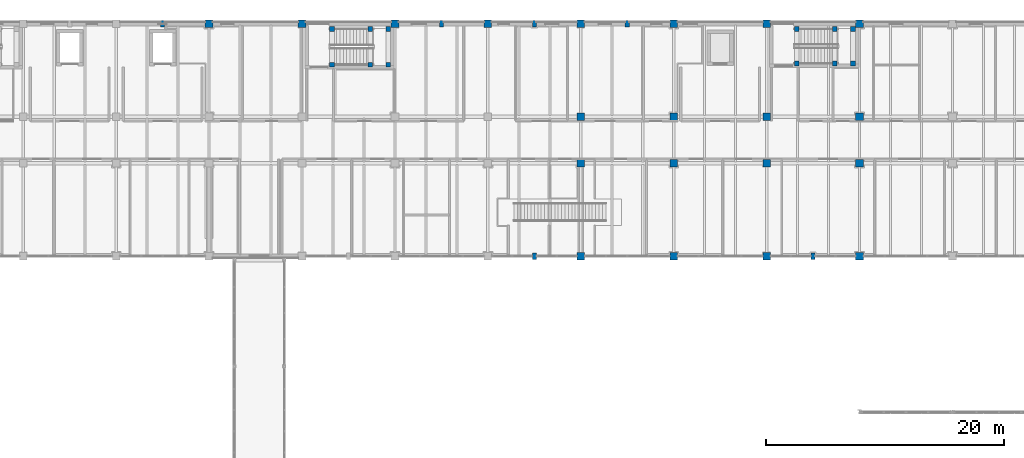
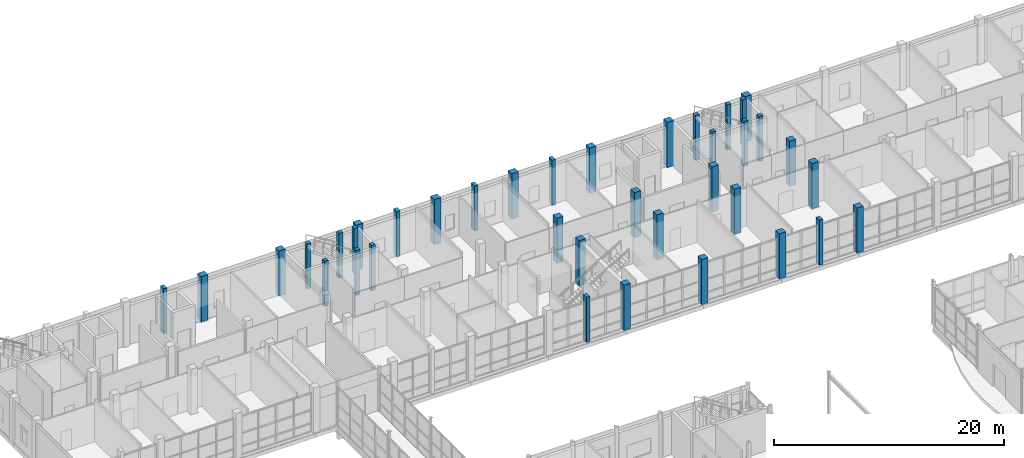
# One storey, part 19 of 131: 38 columns.
"""IFC4 building model written with IfcOpenShell, lengths in metres."""

from ifc_helpers import new_model, si_unit, direction, frame, origin, origin_2d, place, context, subcontext, project, spatial, rectangle, extrude, material, material_profile, profile_set, type_object, element, save


model = new_model("IFC4")

# Units and contexts
model_context = context("Model", 3, precision=1e-05, world=origin(), true_north=direction((0.0, 1.0)))
body_context = subcontext(model_context, "Body", "Model", "MODEL_VIEW")
ifc_project = project(units=[si_unit("LENGTHUNIT", "METRE"), si_unit("AREAUNIT", "SQUARE_METRE"), si_unit("VOLUMEUNIT", "CUBIC_METRE"), si_unit("PLANEANGLEUNIT", "RADIAN"), si_unit("MASSUNIT", "GRAM", prefix="KILO")], contexts=[model_context])

# Site, building, storey
site_placement = place(None, origin())
site = spatial("IfcSite", under=ifc_project, at=site_placement, CompositionType="ELEMENT")
building_placement = place(site_placement, origin())
building = spatial("IfcBuilding", under=site, at=building_placement, Name="Celorna Specialist Clinic", CompositionType="ELEMENT")
storey_placement = place(building_placement, origin())
storey = spatial("IfcBuildingStorey", under=building, at=storey_placement, Name="L00", CompositionType="ELEMENT", Elevation=0.0)

# Columns
ifc_material_1 = material(Name="Concrete C40/50", Category="concrete")
ifc_material_profile_1 = material_profile(ifc_material_1, rectangle(XDim=0.64990234375, YDim=0.64990234375, at=origin_2d()), Name="RC 650x650")
ifc_profile_set_1 = profile_set([ifc_material_profile_1], Name="Concrete C40/50")
column_type_1 = type_object("IfcColumnType", Name="CT-03", PredefinedType="COLUMN", material=ifc_profile_set_1)
for number, where, z_axis, x_axis, name in (
    (1, (70.199951171875, 116.0, 0.0), (0.0, 0.0, 1.0), (1.0, 0.0, 0.0), "Column CT-03 L00 X10/YU"),
    (2, (78.0, 116.0, 0.0), (0.0, 0.0, 1.0), (1.0, 0.0, 0.0), "Column CT-03 L00 X11/YU"),
    (3, (85.800048828125, 116.0, 0.0), (0.0, 0.0, 1.0), (1.0, 0.0, 0.0), "Column CT-03 L00 X12/YU"),
    (4, (93.60009765625, 116.0, 0.0), (0.0, 0.0, 1.0), (1.0, 0.0, 0.0), "Column CT-03 L00 X13/YU"),
    (5, (101.39990234375, 96.5, 0.0), (0.0, 0.0, 1.0), (1.0, 0.0, 0.0), "Column CT-03 L00 X14/YR"),
    (6, (101.39990234375, 104.300048828125, 0.0), (0.0, 0.0, 1.0), (1.0, 0.0, 0.0), "Column CT-03 L00 X14/YS"),
    (7, (101.39990234375, 108.199951171875, 0.0), (0.0, 0.0, 1.0), (1.0, 0.0, 0.0), "Column CT-03 L00 X14/YT"),
    (8, (101.39990234375, 116.0, 0.0), (0.0, 0.0, 1.0), (1.0, 0.0, 0.0), "Column CT-03 L00 X14/YU"),
    (9, (109.199951171875, 96.5, 0.0), (0.0, 0.0, 1.0), (1.0, 0.0, 0.0), "Column CT-03 L00 X15/YR"),
    (10, (109.199951171875, 104.300048828125, 0.0), (0.0, 0.0, 1.0), (1.0, 0.0, 0.0), "Column CT-03 L00 X15/YS"),
    (11, (109.199951171875, 108.199951171875, 0.0), (0.0, 0.0, 1.0), (1.0, 0.0, 0.0), "Column CT-03 L00 X15/YT"),
    (12, (109.199951171875, 116.0, 0.0), (0.0, 0.0, 1.0), (1.0, 0.0, 0.0), "Column CT-03 L00 X15/YU"),
    (13, (117.0, 96.5, 0.0), (0.0, 0.0, 1.0), (1.0, 0.0, 0.0), "Column CT-03 L00 X16/YR"),
    (14, (117.0, 104.300048828125, 0.0), (0.0, 0.0, 1.0), (1.0, 0.0, 0.0), "Column CT-03 L00 X16/YS"),
    (15, (117.0, 108.199951171875, 0.0), (0.0, 0.0, 1.0), (1.0, 0.0, 0.0), "Column CT-03 L00 X16/YT"),
    (16, (117.0, 116.0, 0.0), (0.0, 0.0, 1.0), (1.0, 0.0, 0.0), "Column CT-03 L00 X16/YU"),
    (17, (124.800048828125, 96.5, 0.0), (0.0, 0.0, 1.0), (1.0, 0.0, 0.0), "Column CT-03 L00 X17/YR"),
    (18, (124.800048828125, 104.300048828125, 0.0), (0.0, 0.0, 1.0), (1.0, 0.0, 0.0), "Column CT-03 L00 X17/YS"),
    (19, (124.800048828125, 108.199951171875, 0.0), (0.0, 0.0, 1.0), (1.0, 0.0, 0.0), "Column CT-03 L00 X17/YT"),
    (20, (124.800048828125, 116.0, 0.0), (0.0, 0.0, 1.0), (1.0, 0.0, 0.0), "Column CT-03 L00 X17/YU"),
):
    element("IfcColumn", number, at=place(storey_placement, frame(where, z_axis=z_axis, x_axis=x_axis)), inside=storey, type_object=column_type_1, Name=name, PredefinedType="COLUMN", context=body_context, shape_type="SweptSolid", body=[
        extrude(rectangle(XDim=0.64990234375, YDim=0.64990234375, at=origin_2d()), origin(), (0.0, 0.0, 1.0), 4.800048828125),
    ])
ifc_material_2 = material(Name="Concrete C35/45", Category="concrete")
ifc_material_profile_2 = material_profile(ifc_material_2, rectangle(XDim=0.39990234375, YDim=0.39990234375, at=origin_2d()), Name="RC 400x400")
ifc_profile_set_2 = profile_set([ifc_material_profile_2], Name="Concrete C35/45")
column_type_2 = type_object("IfcColumnType", Name="CT-08", PredefinedType="COLUMN", material=ifc_profile_set_2)
for number, where, z_axis, x_axis, name in (
    (21, (80.52001953125, 112.570068359375, 0.0), (0.0, 0.0, 1.0), (1.0, 0.0, 0.0), "Stair ST-02 landing column CT-08 L00 X11/YU"),
    (22, (80.52001953125, 115.570068359375, 0.0), (0.0, 0.0, 1.0), (1.0, 0.0, 0.0), "Stair ST-02 landing column CT-08 L00 X11/YU"),
    (23, (83.719970703125, 112.570068359375, 0.0), (0.0, 0.0, 1.0), (1.0, 0.0, 0.0), "Stair ST-02 landing column CT-08 L00 X12/YU"),
    (24, (83.719970703125, 115.570068359375, 0.0), (0.0, 0.0, 1.0), (1.0, 0.0, 0.0), "Stair ST-02 landing column CT-08 L00 X12/YU"),
    (25, (85.239990234375, 112.570068359375, 0.0), (0.0, 0.0, 1.0), (1.0, 0.0, 0.0), "Stair ST-02 landing column CT-08 L00 X12/YU"),
    (26, (85.239990234375, 115.570068359375, 0.0), (0.0, 0.0, 1.0), (1.0, 0.0, 0.0), "Stair ST-02 landing column CT-08 L00 X12/YU"),
    (27, (119.52001953125, 112.669921875, 0.0), (0.0, 0.0, 1.0), (1.0, 0.0, 0.0), "Stair ST-03 landing column CT-08 L00 X16/YU"),
    (28, (119.52001953125, 115.570068359375, 0.0), (0.0, 0.0, 1.0), (1.0, 0.0, 0.0), "Stair ST-03 landing column CT-08 L00 X16/YU"),
    (29, (122.719970703125, 112.669921875, 0.0), (0.0, 0.0, 1.0), (1.0, 0.0, 0.0), "Stair ST-03 landing column CT-08 L00 X17/YU"),
    (30, (122.719970703125, 115.570068359375, 0.0), (0.0, 0.0, 1.0), (1.0, 0.0, 0.0), "Stair ST-03 landing column CT-08 L00 X17/YU"),
    (31, (124.239990234375, 112.669921875, 0.0), (0.0, 0.0, 1.0), (1.0, 0.0, 0.0), "Stair ST-03 landing column CT-08 L00 X17/YU"),
    (32, (124.239990234375, 115.570068359375, 0.0), (0.0, 0.0, 1.0), (1.0, 0.0, 0.0), "Stair ST-03 landing column CT-08 L00 X17/YU"),
):
    element("IfcColumn", number, at=place(storey_placement, frame(where, z_axis=z_axis, x_axis=x_axis)), inside=storey, type_object=column_type_2, Name=name, PredefinedType="COLUMN", context=body_context, shape_type="SweptSolid", body=[
        extrude(rectangle(XDim=0.39990234375, YDim=0.39990234375, at=origin_2d()), origin(), (0.0, 0.0, 1.0), 4.800048828125),
    ])
ifc_material_3 = material(Name="Precast concrete C40/50", Category="concrete")
ifc_material_profile_3 = material_profile(ifc_material_3, rectangle(XDim=0.35009765625, YDim=0.550048828125, at=origin_2d()), Name="PILASTER 350x550")
ifc_profile_set_3 = profile_set([ifc_material_profile_3], Name="Precast concrete C40/50")
column_type_3 = type_object("IfcColumnType", Name="CT-16", PredefinedType="PILASTER", material=ifc_profile_set_3)
for number, where, z_axis, x_axis, name in (
    (33, (66.300048828125, 116.0, 0.0), (0.0, 0.0, 1.0), (1.0, 0.0, 0.0), "Facade pilaster CT-16 L00 X09/YU"),
    (34, (89.699951171875, 116.0, 0.0), (0.0, 0.0, 1.0), (1.0, 0.0, 0.0), "Facade pilaster CT-16 L00 X13/YU"),
    (35, (97.5, 116.0, 0.0), (0.0, 0.0, 1.0), (1.0, 0.0, 0.0), "Facade pilaster CT-16 L00 X13/YU"),
    (36, (105.300048828125, 116.0, 0.0), (0.0, 0.0, 1.0), (1.0, 0.0, 0.0), "Facade pilaster CT-16 L00 X14A/YU"),
    (37, (97.5, 96.5, 0.0), (0.0, 0.0, 1.0), (1.0, 0.0, 0.0), "Court veranda pilaster CT-16 L00 X13/YR"),
    (38, (120.89990234375, 96.5, 0.0), (0.0, 0.0, 1.0), (1.0, 0.0, 0.0), "Court veranda pilaster CT-16 L00 X17/YR"),
):
    element("IfcColumn", number, at=place(storey_placement, frame(where, z_axis=z_axis, x_axis=x_axis)), inside=storey, type_object=column_type_3, Name=name, PredefinedType="PILASTER", context=body_context, shape_type="SweptSolid", body=[
        extrude(rectangle(XDim=0.35009765625, YDim=0.550048828125, at=origin_2d()), origin(), (0.0, 0.0, 1.0), 4.800048828125),
    ])

save(model, "model.ifc")
